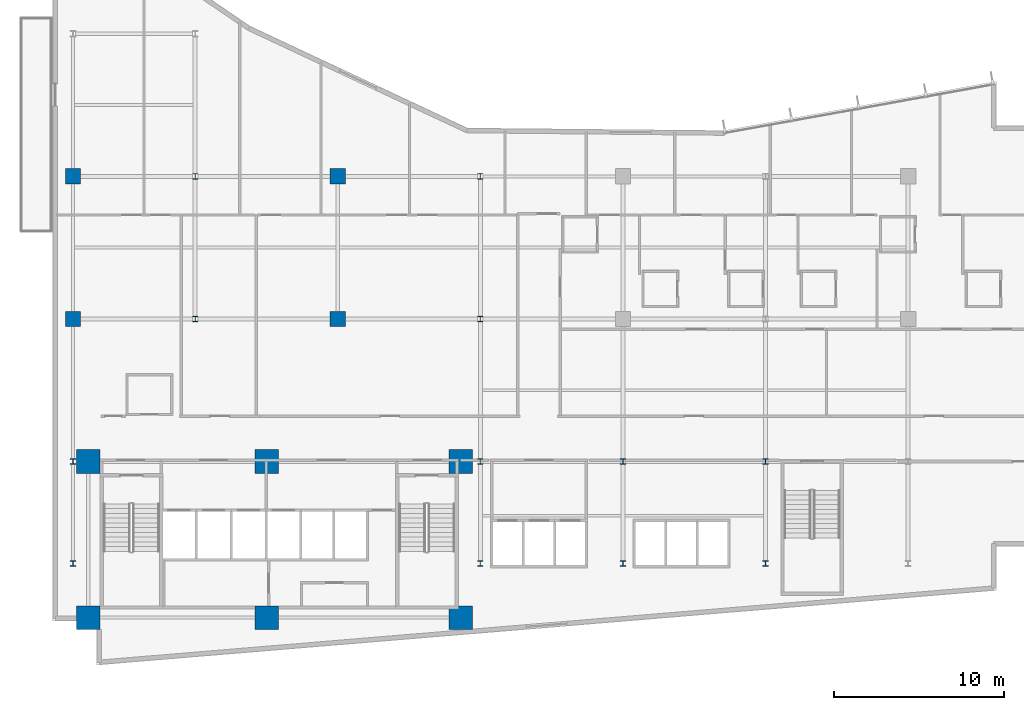
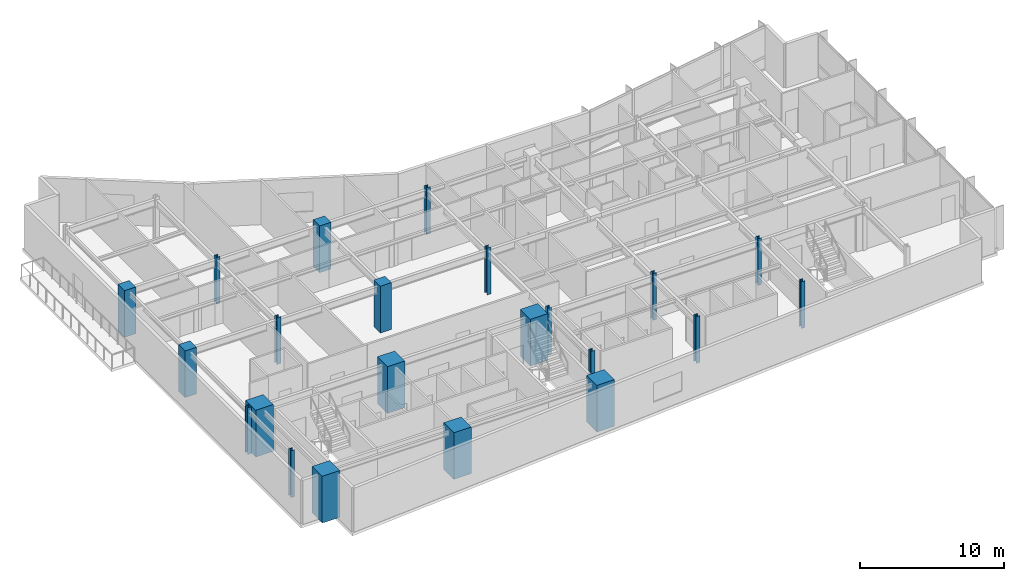
# One storey, part 1 of 22: 22 columns.
"""IFC4 building model written with IfcOpenShell, lengths in metres."""

from ifc_helpers import new_model, si_unit, direction, frame, origin, origin_2d, place, context, subcontext, project, spatial, rectangle, i_section, extrude, material, material_profile, profile_set, type_object, element, save


model = new_model("IFC4")

# Units and contexts
model_context = context("Model", 3, precision=1e-05, world=origin(), true_north=direction((0.0, 1.0)))
body_context = subcontext(model_context, "Body", "Model", "MODEL_VIEW")
ifc_project = project(units=[si_unit("LENGTHUNIT", "METRE"), si_unit("AREAUNIT", "SQUARE_METRE"), si_unit("VOLUMEUNIT", "CUBIC_METRE"), si_unit("PLANEANGLEUNIT", "RADIAN"), si_unit("MASSUNIT", "GRAM", prefix="KILO")], contexts=[model_context])

# Site, building, storey
site_placement = place(None, origin())
site = spatial("IfcSite", under=ifc_project, at=site_placement, CompositionType="ELEMENT")
building_placement = place(site_placement, origin())
building = spatial("IfcBuilding", under=site, at=building_placement, Name="Varnakote Quay Hospital", CompositionType="ELEMENT")
storey_placement = place(building_placement, frame((0.0, 0.0, 62.0)))
storey = spatial("IfcBuildingStorey", under=building, at=storey_placement, Name="L15", CompositionType="ELEMENT", Elevation=62.0)

# Columns
ifc_material_1 = material(Name="Concrete N80 (f'c 80 MPa)", Category="concrete")
ifc_material_profile_1 = material_profile(ifc_material_1, rectangle(XDim=1.39990234375, YDim=1.39990234375, at=origin_2d()), Name="RC-COL-1400x1400")
ifc_profile_set_1 = profile_set([ifc_material_profile_1], Name="Concrete N80 (f'c 80 MPa)")
column_type_1 = type_object("IfcColumnType", Name="COL-RC-1400", PredefinedType="COLUMN", material=ifc_profile_set_1)
for number, where, z_axis, x_axis, name in (
    (1, (2.10009765625, 2.800048828125, 0.0), (0.0, 0.0, 1.0), (1.0, 0.0, 0.0), "L15 Structural Column C-2-3"),
    (2, (12.6201171875, 2.800048828125, 0.0), (0.0, 0.0, 1.0), (1.0, 0.0, 0.0), "L15 Structural Column C-13-3"),
    (3, (24.050048828125, 2.800048828125, 0.0), (0.0, 0.0, 1.0), (1.0, 0.0, 0.0), "L15 Structural Column C-24-3"),
    (4, (2.10009765625, 12.0, 0.0), (0.0, 0.0, 1.0), (1.0, 0.0, 0.0), "L15 Structural Column C-2-12"),
    (5, (12.6201171875, 12.0, 0.0), (0.0, 0.0, 1.0), (1.0, 0.0, 0.0), "L15 Structural Column C-13-12"),
    (6, (24.050048828125, 12.0, 0.0), (0.0, 0.0, 1.0), (1.0, 0.0, 0.0), "L15 Structural Column C-24-12"),
):
    element("IfcColumn", number, at=place(storey_placement, frame(where, z_axis=z_axis, x_axis=x_axis)), inside=storey, type_object=column_type_1, Name=name, PredefinedType="COLUMN", context=body_context, shape_type="SweptSolid", body=[
        extrude(rectangle(XDim=1.39990234375, YDim=1.39990234375, at=origin_2d()), origin(), (0.0, 0.0, 1.0), 3.949951171875),
    ])
ifc_material_2 = material(Name="Concrete N50 (f'c 50 MPa)", Category="concrete")
ifc_material_profile_2 = material_profile(ifc_material_2, rectangle(XDim=0.89990234375, YDim=0.89990234375, at=origin_2d()), Name="RC-COL-900x900")
ifc_profile_set_2 = profile_set([ifc_material_profile_2], Name="Concrete N50 (f'c 50 MPa)")
column_type_2 = type_object("IfcColumnType", Name="COL-RC-900", PredefinedType="COLUMN", material=ifc_profile_set_2)
for number, where, z_axis, x_axis, name in (
    (7, (1.199951171875, 20.39990234375, 0.0), (0.0, 0.0, 1.0), (1.0, 0.0, 0.0), "L15 Structural Column C-1-20"),
    (8, (16.800048828125, 20.39990234375, 0.0), (0.0, 0.0, 1.0), (1.0, 0.0, 0.0), "L15 Structural Column C-17-20"),
    (9, (1.199951171875, 28.800048828125, 0.0), (0.0, 0.0, 1.0), (1.0, 0.0, 0.0), "L15 Structural Column C-1-29"),
    (10, (16.800048828125, 28.800048828125, 0.0), (0.0, 0.0, 1.0), (1.0, 0.0, 0.0), "L15 Structural Column C-17-29"),
):
    element("IfcColumn", number, at=place(storey_placement, frame(where, z_axis=z_axis, x_axis=x_axis)), inside=storey, type_object=column_type_2, Name=name, PredefinedType="COLUMN", context=body_context, shape_type="SweptSolid", body=[
        extrude(rectangle(XDim=0.89990234375, YDim=0.89990234375, at=origin_2d()), origin(), (0.0, 0.0, 1.0), 3.949951171875),
    ])
ifc_material_3 = material(Name="Structural steel AS/NZS 3679.1 Grade 350 L0 (fy 340 MPa)", Category="steel")
ifc_material_profile_3 = material_profile(ifc_material_3, i_section(OverallWidth=0.31103515625, OverallDepth=0.326904296875, WebThickness=0.015625, FlangeThickness=0.02490234375, FilletRadius=0.0166015625, at=origin_2d()), Name="310UC158")
ifc_profile_set_3 = profile_set([ifc_material_profile_3], Name="Structural steel AS/NZS 3679.1 Grade 350 L0 (fy 340 MPa)")
column_type_3 = type_object("IfcColumnType", Name="COL-STL-310UC158", PredefinedType="COLUMN", material=ifc_profile_set_3)
for number, where, z_axis, x_axis, name in (
    (11, (1.199951171875, 6.0, 0.0), (0.0, 0.0, 1.0), (1.0, 0.0, 0.0), "L15 Structural Column C-1-6"),
    (12, (25.199951171875, 6.0, 0.0), (0.0, 0.0, 1.0), (1.0, 0.0, 0.0), "L15 Structural Column C-25-6"),
    (13, (33.60009765625, 6.0, 0.0), (0.0, 0.0, 1.0), (1.0, 0.0, 0.0), "L15 Structural Column C-34-6"),
    (14, (42.0, 6.0, 0.0), (0.0, 0.0, 1.0), (1.0, 0.0, 0.0), "L15 Structural Column C-42-6"),
    (15, (1.199951171875, 12.0, 0.0), (0.0, 0.0, 1.0), (1.0, 0.0, 0.0), "L15 Structural Column C-1-12"),
    (16, (25.199951171875, 12.0, 0.0), (0.0, 0.0, 1.0), (1.0, 0.0, 0.0), "L15 Structural Column C-25-12"),
    (17, (33.60009765625, 12.0, 0.0), (0.0, 0.0, 1.0), (1.0, 0.0, 0.0), "L15 Structural Column C-34-12"),
    (18, (42.0, 12.0, 0.0), (0.0, 0.0, 1.0), (1.0, 0.0, 0.0), "L15 Structural Column C-42-12"),
    (19, (8.39990234375, 20.39990234375, 0.0), (0.0, 0.0, 1.0), (1.0, 0.0, 0.0), "L15 Structural Column C-8-20"),
    (20, (25.199951171875, 20.39990234375, 0.0), (0.0, 0.0, 1.0), (1.0, 0.0, 0.0), "L15 Structural Column C-25-20"),
    (21, (8.39990234375, 28.800048828125, 0.0), (0.0, 0.0, 1.0), (1.0, 0.0, 0.0), "L15 Structural Column C-8-29"),
    (22, (25.199951171875, 28.800048828125, 0.0), (0.0, 0.0, 1.0), (1.0, 0.0, 0.0), "L15 Structural Column C-25-29"),
):
    element("IfcColumn", number, at=place(storey_placement, frame(where, z_axis=z_axis, x_axis=x_axis)), inside=storey, type_object=column_type_3, Name=name, PredefinedType="COLUMN", context=body_context, shape_type="SweptSolid", body=[
        extrude(i_section(OverallWidth=0.31103515625, OverallDepth=0.326904296875, WebThickness=0.015625, FlangeThickness=0.02490234375, FilletRadius=0.0166015625, at=origin_2d()), origin(), (0.0, 0.0, 1.0), 3.949951171875),
    ])

save(model, "model.ifc")
